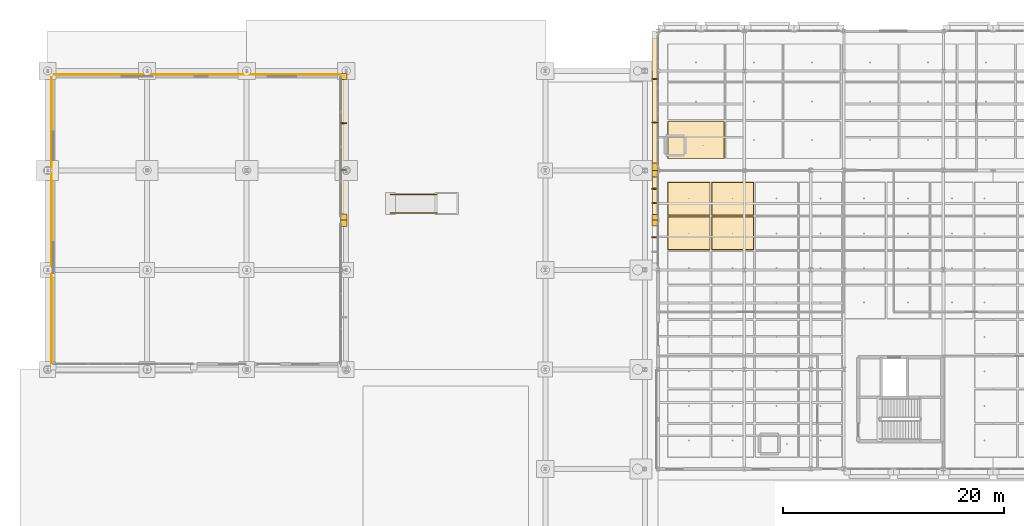
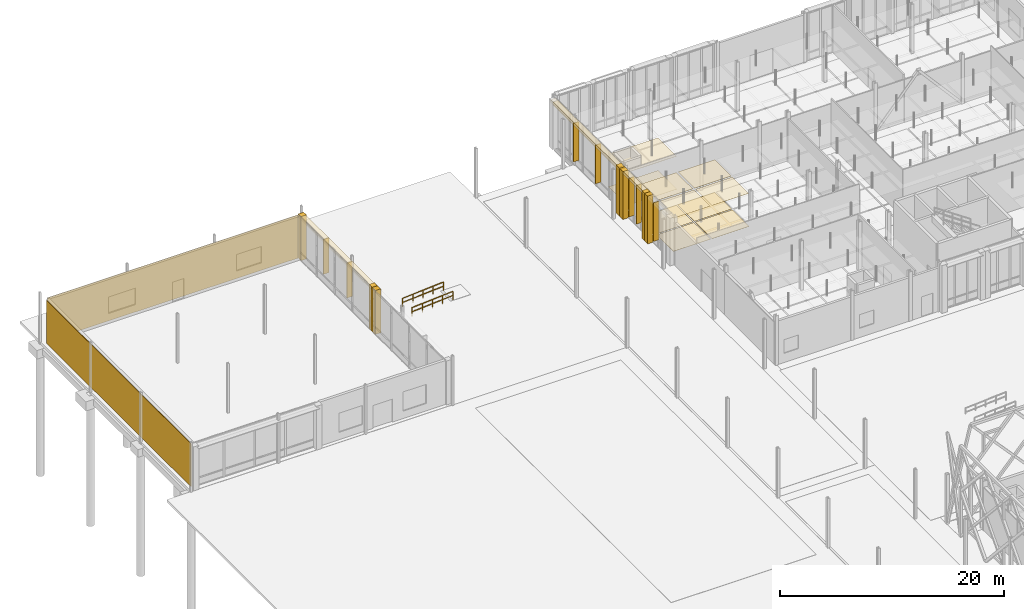
# One storey, part 171 of 180: 22 coverings, 7 shading devices, 2 railings.
"""IFC4 building model written with IfcOpenShell, lengths in metres."""

from ifc_helpers import new_model, si_unit, direction, frame, origin, origin_2d, place, context, subcontext, project, spatial, rectangle, circle, extrude, material, layer, layer_set, type_object, element, save


model = new_model("IFC4")

# Units and contexts
model_context = context("Model", 3, precision=1e-05, world=origin(), true_north=direction((0.0, 1.0)))
body_context = subcontext(model_context, "Body", "Model", "MODEL_VIEW")
ifc_project = project(units=[si_unit("LENGTHUNIT", "METRE"), si_unit("AREAUNIT", "SQUARE_METRE"), si_unit("VOLUMEUNIT", "CUBIC_METRE"), si_unit("PLANEANGLEUNIT", "RADIAN"), si_unit("MASSUNIT", "GRAM", prefix="KILO"), si_unit("THERMODYNAMICTEMPERATUREUNIT", "KELVIN"), si_unit("POWERUNIT", "WATT")], contexts=[model_context])

# Site, building, storey
site_placement = place(None, origin())
site = spatial("IfcSite", under=ifc_project, at=site_placement, CompositionType="ELEMENT")
building_placement = place(site_placement, origin())
building = spatial("IfcBuilding", under=site, at=building_placement, Name="Tallowbark Science Centre", CompositionType="ELEMENT")
storey_placement = place(building_placement, origin())
storey = spatial("IfcBuildingStorey", under=building, at=storey_placement, Name="L00", CompositionType="ELEMENT", Elevation=0.0)

# Coverings
ifc_material_1 = material(Name="Cleanable Vinyl-Faced Laboratory Ceiling Tile")
ifc_layer_1 = layer(ifc_material_1, 0.01611328125)
ifc_layer_set_1 = layer_set([ifc_layer_1], Name="Cleanable Vinyl-Faced Laboratory Ceiling Tile")
covering_type_1 = type_object("IfcCoveringType", Name="CLG-LAB-16", PredefinedType="CEILING", material=ifc_layer_set_1)
for number, where, z_axis, x_axis, name in (
    (1, (57.982177734375, 93.3125, 3.592041015625), (0.0, 0.0, 1.0), (1.0, 0.0, 0.0), "Suspended Ceiling L00-303"),
    (2, (57.982177734375, 96.4375, 3.592041015625), (0.0, 0.0, 1.0), (1.0, 0.0, 0.0), "Suspended Ceiling L00-304"),
    (3, (61.9462890625, 93.3125, 3.592041015625), (0.0, 0.0, 1.0), (1.0, 0.0, 0.0), "Suspended Ceiling L00-311"),
    (4, (61.9462890625, 96.4375, 3.592041015625), (0.0, 0.0, 1.0), (1.0, 0.0, 0.0), "Suspended Ceiling L00-312"),
):
    element("IfcCovering", number, at=place(storey_placement, frame(where, z_axis=z_axis, x_axis=x_axis)), inside=storey, type_object=covering_type_1, Name=name, PredefinedType="CEILING", context=body_context, shape_type="SweptSolid", body=[
        extrude(rectangle(XDim=3.7841796875, YDim=2.945068359375, at=origin_2d()), origin(), (0.0, 0.0, 1.0), 0.01611328125),
    ])
ifc_material_2 = material(Name="Perforated Spotted Gum Acoustic Baffle Ceiling", Category="wood")
ifc_layer_2 = layer(ifc_material_2, 0.02490234375)
ifc_layer_set_2 = layer_set([ifc_layer_2], Name="Perforated Spotted Gum Acoustic Baffle Ceiling")
covering_type_2 = type_object("IfcCoveringType", Name="CLG-TIM-25", PredefinedType="CEILING", material=ifc_layer_set_2)
covering_1_placement = place(storey_placement, frame((58.625, 101.75, 3.587646484375), z_axis=(0.0, 0.0, 1.0), x_axis=(1.0, 0.0, 0.0)))
element("IfcCovering", 5, at=covering_1_placement, inside=storey, type_object=covering_type_2, Name="Suspended Ceiling L00-397", PredefinedType="CEILING", context=body_context, shape_type="SweptSolid", body=[
    extrude(rectangle(XDim=5.070068359375, YDim=3.320068359375, at=origin_2d()), origin(), (0.0, 0.0, 1.0), 0.02490234375),
])
ifc_material_3 = material(Name="White Architectural Precast Concrete Grade N40 (40 MPa)", Category="concrete")
ifc_layer_3 = layer(ifc_material_3, 0.1201171875)
ifc_layer_set_3 = layer_set([ifc_layer_3], Name="White Architectural Precast Concrete Grade N40 (40 MPa)")
covering_type_3 = type_object("IfcCoveringType", Name="COV-PRC-CLAD", PredefinedType="CLADDING", material=ifc_layer_set_3)
covering_2_placement = place(storey_placement, frame((54.919921875, 98.695068359375, 0.0), z_axis=(0.0, 0.0, 1.0), x_axis=(0.0, -1.0, 0.0)))
element("IfcCovering", 6, at=covering_2_placement, inside=storey, type_object=covering_type_3, Name="Postmodern Deep Precast Pier CW-L00-028-1", PredefinedType="CLADDING", context=body_context, shape_type="SweptSolid", body=[
    extrude(rectangle(XDim=0.610107421875, YDim=0.56005859375, at=origin_2d()), origin(), (0.0, 0.0, 1.0), 5.219970703125),
])
for number, where, z_axis, x_axis, name in (
    (7, (54.919921875, 94.7548828125, 0.0), (0.0, 0.0, 1.0), (0.0, -1.0, 0.0), "Postmodern Deep Precast Pier CW-L00-028-2"),
    (8, (54.919921875, 94.2451171875, 0.0), (0.0, 0.0, 1.0), (0.0, -1.0, 0.0), "Postmodern Deep Precast Pier CW-L00-029-1"),
):
    element("IfcCovering", number, at=place(storey_placement, frame(where, z_axis=z_axis, x_axis=x_axis)), inside=storey, type_object=covering_type_3, Name=name, PredefinedType="CLADDING", context=body_context, shape_type="SweptSolid", body=[
        extrude(rectangle(XDim=0.510009765625, YDim=0.56005859375, at=origin_2d()), origin(), (0.0, 0.0, 1.0), 5.219970703125),
    ])
covering_3_placement = place(storey_placement, frame((54.919921875, 99.330078125, 0.0), z_axis=(0.0, 0.0, 1.0), x_axis=(0.0, -1.0, 0.0)))
element("IfcCovering", 9, at=covering_3_placement, inside=storey, type_object=covering_type_3, Name="Postmodern Deep Precast Pier CW-L00-038-2", PredefinedType="CLADDING", context=body_context, shape_type="SweptSolid", body=[
    extrude(rectangle(XDim=0.659912109375, YDim=0.56005859375, at=origin_2d()), origin(), (0.0, 0.0, 1.0), 5.219970703125),
])
for number, where, z_axis, x_axis, name in (
    (10, (26.780029296875, 94.219970703125, 0.0), (0.0, 0.0, 1.0), (0.0, 1.0, 0.0), "Postmodern Deep Precast Pier CW-L00-201-2"),
    (11, (26.780029296875, 94.780029296875, 0.0), (0.0, 0.0, 1.0), (0.0, 1.0, 0.0), "Postmodern Deep Precast Pier CW-L00-202-1"),
):
    element("IfcCovering", number, at=place(storey_placement, frame(where, z_axis=z_axis, x_axis=x_axis)), inside=storey, type_object=covering_type_3, Name=name, PredefinedType="CLADDING", context=body_context, shape_type="SweptSolid", body=[
        extrude(rectangle(XDim=0.56005859375, YDim=0.56005859375, at=origin_2d()), origin(), (0.0, 0.0, 1.0), 4.800048828125),
    ])
covering_4_placement = place(storey_placement, frame((26.780029296875, 107.5, 0.0), z_axis=(0.0, 0.0, 1.0), x_axis=(0.0, 1.0, 0.0)))
element("IfcCovering", 12, at=covering_4_placement, inside=storey, type_object=covering_type_3, Name="Postmodern Deep Precast Pier CW-L00-202-2", PredefinedType="CLADDING", context=body_context, shape_type="SweptSolid", body=[
    extrude(rectangle(XDim=0.52001953125, YDim=0.56005859375, at=origin_2d()), origin(), (0.0, 0.0, 1.0), 4.800048828125),
])
ifc_material_4 = material(Name="Vitrified Ochre Terracotta Architectural Rainscreen", Category="masonry")
ifc_layer_4 = layer(ifc_material_4, 0.0380859375)
ifc_layer_set_4 = layer_set([ifc_layer_4], Name="Vitrified Ochre Terracotta Architectural Rainscreen")
covering_type_4 = type_object("IfcCoveringType", Name="COV-TER-CLAD", PredefinedType="CLADDING", material=ifc_layer_set_4)
covering_5_placement = place(storey_placement, frame((54.93994140625, 96.699951171875, 4.8701171875), z_axis=(0.0, 0.0, 1.0), x_axis=(0.0, -1.0, 0.0)))
element("IfcCovering", 13, at=covering_5_placement, inside=storey, type_object=covering_type_4, Name="Postmodern Terracotta Cornice Band CW-L00-028", PredefinedType="CLADDING", context=body_context, shape_type="SweptSolid", body=[
    extrude(rectangle(XDim=4.300048828125, YDim=0.52001953125, at=origin_2d()), origin(), (0.0, 0.0, 1.0), 0.340087890625),
])
covering_6_placement = place(storey_placement, frame((54.93994140625, 105.300048828125, 4.8701171875), z_axis=(0.0, 0.0, 1.0), x_axis=(0.0, -1.0, 0.0)))
element("IfcCovering", 14, at=covering_6_placement, inside=storey, type_object=covering_type_4, Name="Postmodern Terracotta Cornice Band CW-L00-038", PredefinedType="CLADDING", context=body_context, shape_type="SweptSolid", body=[
    extrude(rectangle(XDim=12.199951171875, YDim=0.52001953125, at=origin_2d()), origin(), (0.0, 0.0, 1.0), 0.340087890625),
])
covering_7_placement = place(storey_placement, frame((26.760009765625, 101.14990234375, 4.4501953125), z_axis=(0.0, 0.0, 1.0), x_axis=(0.0, 1.0, 0.0)))
element("IfcCovering", 15, at=covering_7_placement, inside=storey, type_object=covering_type_4, Name="Postmodern Terracotta Cornice Band CW-L00-202", PredefinedType="CLADDING", context=body_context, shape_type="SweptSolid", body=[
    extrude(rectangle(XDim=13.10009765625, YDim=0.52001953125, at=origin_2d()), origin(), (0.0, 0.0, 1.0), 0.340087890625),
])
ifc_material_5 = material(Name="Spotted Gum Hardwood Architectural Rainscreen", Category="wood")
ifc_layer_5 = layer(ifc_material_5, 0.0419921875)
ifc_layer_set_5 = layer_set([ifc_layer_5], Name="Spotted Gum Hardwood Architectural Rainscreen")
covering_type_5 = type_object("IfcCoveringType", Name="COV-TIM-CLAD", PredefinedType="CLADDING", material=ifc_layer_set_5)
for number, where, z_axis, x_axis, name in (
    (16, (13.5, 107.66845703125, 0.0498046875), (0.0, 0.0, 1.0), (-1.0, 0.0, 0.0), "Architectural Rainscreen PRK-N-1"),
    (17, (0.33154296875, 94.5, 0.0498046875), (0.0, 0.0, 1.0), (0.0, -1.0, 0.0), "Architectural Rainscreen PRK-W-1"),
):
    element("IfcCovering", number, at=place(storey_placement, frame(where, z_axis=z_axis, x_axis=x_axis)), inside=storey, type_object=covering_type_5, Name=name, PredefinedType="CLADDING", context=body_context, shape_type="SweptSolid", body=[
        extrude(rectangle(XDim=25.8798828125, YDim=0.0419921875, at=origin_2d()), origin(), (0.0, 0.0, 1.0), 4.699951171875),
    ])
ifc_material_6 = material(Name="Polished Recycled-Glass Terrazzo Foyer Flooring", Category="glass")
ifc_layer_6 = layer(ifc_material_6, 0.02001953125)
ifc_layer_set_6 = layer_set([ifc_layer_6], Name="Polished Recycled-Glass Terrazzo Foyer Flooring")
covering_type_6 = type_object("IfcCoveringType", Name="FLR-TER-20", PredefinedType="FLOORING", material=ifc_layer_set_6)
covering_8_placement = place(storey_placement, frame((58.625, 101.75, 0.0), z_axis=(0.0, 0.0, 1.0), x_axis=(1.0, 0.0, 0.0)))
element("IfcCovering", 18, at=covering_8_placement, inside=storey, type_object=covering_type_6, Name="Floor Finish L00-397", PredefinedType="FLOORING", context=body_context, shape_type="SweptSolid", body=[
    extrude(rectangle(XDim=5.1298828125, YDim=3.3798828125, at=origin_2d()), origin(), (0.0, 0.0, 1.0), 0.02001953125),
])
ifc_material_7 = material(Name="Chemical-Resistant Seamless Laboratory Vinyl")
ifc_layer_7 = layer(ifc_material_7, 0.011962890625)
ifc_layer_set_7 = layer_set([ifc_layer_7], Name="Chemical-Resistant Seamless Laboratory Vinyl")
covering_type_7 = type_object("IfcCoveringType", Name="FLR-VIN-12", PredefinedType="FLOORING", material=ifc_layer_set_7)
for number, where, z_axis, x_axis, name in (
    (19, (57.982177734375, 93.3125, 0.0), (0.0, 0.0, 1.0), (1.0, 0.0, 0.0), "Floor Finish L00-303"),
    (20, (57.982177734375, 96.4375, 0.0), (0.0, 0.0, 1.0), (1.0, 0.0, 0.0), "Floor Finish L00-304"),
    (21, (61.9462890625, 93.3125, 0.0), (0.0, 0.0, 1.0), (1.0, 0.0, 0.0), "Floor Finish L00-311"),
    (22, (61.9462890625, 96.4375, 0.0), (0.0, 0.0, 1.0), (1.0, 0.0, 0.0), "Floor Finish L00-312"),
):
    element("IfcCovering", number, at=place(storey_placement, frame(where, z_axis=z_axis, x_axis=x_axis)), inside=storey, type_object=covering_type_7, Name=name, PredefinedType="FLOORING", context=body_context, shape_type="SweptSolid", body=[
        extrude(rectangle(XDim=3.84423828125, YDim=3.0048828125, at=origin_2d()), origin(), (0.0, 0.0, 1.0), 0.011962890625),
    ])

# Railings
ifc_material_8 = material(Name="Brushed Grade 316 Stainless Steel Handrail", Category="steel")
ifc_layer_8 = layer(ifc_material_8, 0.050048828125)
ifc_layer_set_8 = layer_set([ifc_layer_8], Name="Brushed Grade 316 Stainless Steel Handrail")
railing_type = type_object("IfcRailingType", Name="RLG-HDR-950", PredefinedType="HANDRAIL", material=ifc_layer_set_8)
for number, where, name in (
    (23, (31.0, 96.840087890625, -0.300048828125), "Ramp Handrail RMP-03 L"),
    (24, (31.0, 95.159912109375, -0.300048828125), "Ramp Handrail RMP-03 R"),
):
    element("IfcRailing", number, at=place(storey_placement, frame(where)), inside=storey, type_object=railing_type, Name=name, PredefinedType="HANDRAIL", context=body_context, shape_type="SweptSolid", body=[
        extrude(circle(Radius=0.02392578125, at=origin_2d()), frame((0.0, 0.0, 0.92578125), z_axis=(0.997457816785, 0.0, 0.071259411546), x_axis=(0.0, 1.0, 0.0)), (0.0, 0.0, 1.0), 4.210693359375),
        extrude(circle(Radius=0.02392578125, at=origin_2d()), frame((0.0, 0.0, 0.47509765625), z_axis=(0.997457816785, 0.0, 0.071259411546), x_axis=(0.0, 1.0, 0.0)), (0.0, 0.0, 1.0), 4.210693359375),
        extrude(circle(Radius=0.02099609375, at=origin_2d()), origin(), (0.0, 0.0, 1.0), 0.90185546875),
        extrude(circle(Radius=0.02099609375, at=origin_2d()), frame((1.050048828125, 0.0, 0.074951171875)), (0.0, 0.0, 1.0), 0.90185546875),
        extrude(circle(Radius=0.02099609375, at=origin_2d()), frame((2.10009765625, 0.0, 0.14990234375)), (0.0, 0.0, 1.0), 0.90185546875),
        extrude(circle(Radius=0.02099609375, at=origin_2d()), frame((3.14990234375, 0.0, 0.22509765625)), (0.0, 0.0, 1.0), 0.90185546875),
        extrude(circle(Radius=0.02099609375, at=origin_2d()), frame((4.199951171875, 0.0, 0.300048828125)), (0.0, 0.0, 1.0), 0.90185546875),
    ])

# Shading devices
ifc_material_9 = material(Name="Sandstone-Finished Architectural Aluminium Solar Fin", Category="masonry")
shading_device_type = type_object("IfcShadingDeviceType", Name="SHD-FIN-400", PredefinedType="JALOUSIE", material=ifc_material_9)
for number, where, z_axis, x_axis, name in (
    (25, (54.919921875, 97.35009765625, 0.9248046875), (0.0, 0.0, 1.0), (0.0, -1.0, 0.0), "Vertical Solar Fin CW-L00-028-1"),
    (26, (54.919921875, 96.050048828125, 0.9248046875), (0.0, 0.0, 1.0), (0.0, -1.0, 0.0), "Vertical Solar Fin CW-L00-028-2"),
    (27, (54.919921875, 92.949951171875, 0.9248046875), (0.0, 0.0, 1.0), (0.0, -1.0, 0.0), "Vertical Solar Fin CW-L00-029-1"),
    (28, (54.919921875, 107.2666015625, 0.9248046875), (0.0, 0.0, 1.0), (0.0, -1.0, 0.0), "Vertical Solar Fin CW-L00-038-1"),
    (29, (54.919921875, 103.333251953125, 0.9248046875), (0.0, 0.0, 1.0), (0.0, -1.0, 0.0), "Vertical Solar Fin CW-L00-038-2"),
):
    element("IfcShadingDevice", number, at=place(storey_placement, frame(where, z_axis=z_axis, x_axis=x_axis)), inside=storey, type_object=shading_device_type, Name=name, PredefinedType="JALOUSIE", context=body_context, shape_type="SweptSolid", body=[
        extrude(rectangle(XDim=0.074951171875, YDim=0.550048828125, at=origin_2d()), origin(), (0.0, 0.0, 1.0), 4.219970703125),
    ])
for number, where, z_axis, x_axis, name in (
    (30, (26.780029296875, 99.033447265625, 0.9248046875), (0.0, 0.0, 1.0), (0.0, 1.0, 0.0), "Vertical Solar Fin CW-L00-202-1"),
    (31, (26.780029296875, 103.2666015625, 0.9248046875), (0.0, 0.0, 1.0), (0.0, 1.0, 0.0), "Vertical Solar Fin CW-L00-202-2"),
):
    element("IfcShadingDevice", number, at=place(storey_placement, frame(where, z_axis=z_axis, x_axis=x_axis)), inside=storey, type_object=shading_device_type, Name=name, PredefinedType="JALOUSIE", context=body_context, shape_type="SweptSolid", body=[
        extrude(rectangle(XDim=0.074951171875, YDim=0.550048828125, at=origin_2d()), origin(), (0.0, 0.0, 1.0), 3.800048828125),
    ])

save(model, "model.ifc")
